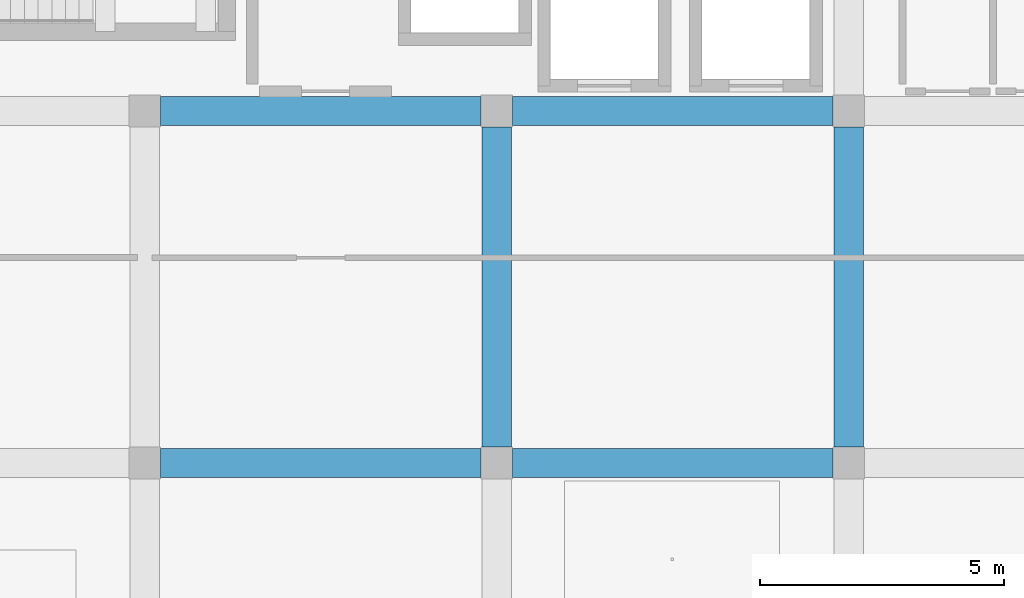
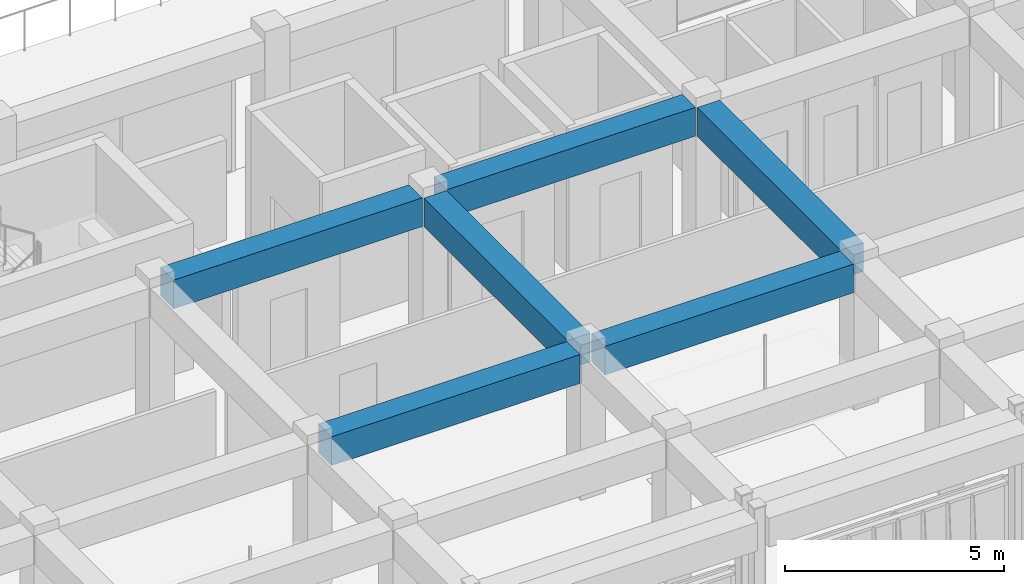
# One storey, part 9 of 42: 6 beams.
"""IFC4 building model written with IfcOpenShell, lengths in metres."""

from ifc_helpers import new_model, si_unit, direction, frame, origin, origin_2d, place, context, subcontext, project, spatial, rectangle, extrude, material, material_profile, profile_set, type_object, element, save


model = new_model("IFC4")

# Units and contexts
model_context = context("Model", 3, precision=1e-05, world=origin(), true_north=direction((0.0, 1.0)))
body_context = subcontext(model_context, "Body", "Model", "MODEL_VIEW")
ifc_project = project(units=[si_unit("LENGTHUNIT", "METRE"), si_unit("AREAUNIT", "SQUARE_METRE"), si_unit("VOLUMEUNIT", "CUBIC_METRE"), si_unit("PLANEANGLEUNIT", "RADIAN"), si_unit("MASSUNIT", "GRAM", prefix="KILO")], contexts=[model_context])

# Site, building, storey
site_placement = place(None, origin())
site = spatial("IfcSite", under=ifc_project, at=site_placement, CompositionType="ELEMENT")
building_placement = place(site_placement, origin())
building = spatial("IfcBuilding", under=site, at=building_placement, Name="Kazehaya Institute of Natural Sciences", CompositionType="ELEMENT")
storey_placement = place(building_placement, frame((0.0, 0.0, 37.6201171875)))
storey = spatial("IfcBuildingStorey", under=building, at=storey_placement, Name="L08", CompositionType="ELEMENT", Elevation=37.6201171875)

# Beams
ifc_material = material(Name="Concrete Fc36", Category="concrete")
ifc_material_profile = material_profile(ifc_material, rectangle(XDim=0.60009765625, YDim=0.800048828125, at=origin_2d()), Name="RC-600x800")
ifc_profile_set = profile_set([ifc_material_profile], Name="Concrete Fc36")
beam_type = type_object("IfcBeamType", Name="BM-G-600x800", PredefinedType="BEAM", material=ifc_profile_set)
for number, where, z_axis, x_axis, name in (
    (1, (69.324951171875, 14.0, 3.64990234375), (1.0, 0.0, 0.0), (0.0, 1.0, 0.0), "L08 primary X girder BMX-L08-690-140"),
    (2, (76.52490234375, 14.0, 3.64990234375), (1.0, 0.0, 0.0), (0.0, 1.0, 0.0), "L08 primary X girder BMX-L08-762-140"),
    (3, (69.324951171875, 21.199951171875, 3.64990234375), (1.0, 0.0, 0.0), (0.0, 1.0, 0.0), "L08 primary X girder BMX-L08-690-212"),
    (4, (76.52490234375, 21.199951171875, 3.64990234375), (1.0, 0.0, 0.0), (0.0, 1.0, 0.0), "L08 primary X girder BMX-L08-762-212"),
    (5, (76.199951171875, 14.324951171875, 3.64990234375), (0.0, 1.0, 0.0), (-1.0, 0.0, 0.0), "L08 primary Y girder BMY-L08-762-140"),
    (6, (83.39990234375, 14.324951171875, 3.64990234375), (0.0, 1.0, 0.0), (-1.0, 0.0, 0.0), "L08 primary Y girder BMY-L08-834-140"),
):
    element("IfcBeam", number, at=place(storey_placement, frame(where, z_axis=z_axis, x_axis=x_axis)), inside=storey, type_object=beam_type, Name=name, PredefinedType="BEAM", context=body_context, shape_type="SweptSolid", body=[
        extrude(rectangle(XDim=0.60009765625, YDim=0.800048828125, at=origin_2d()), origin(), (0.0, 0.0, 1.0), 6.550048828125),
    ])

save(model, "model.ifc")
